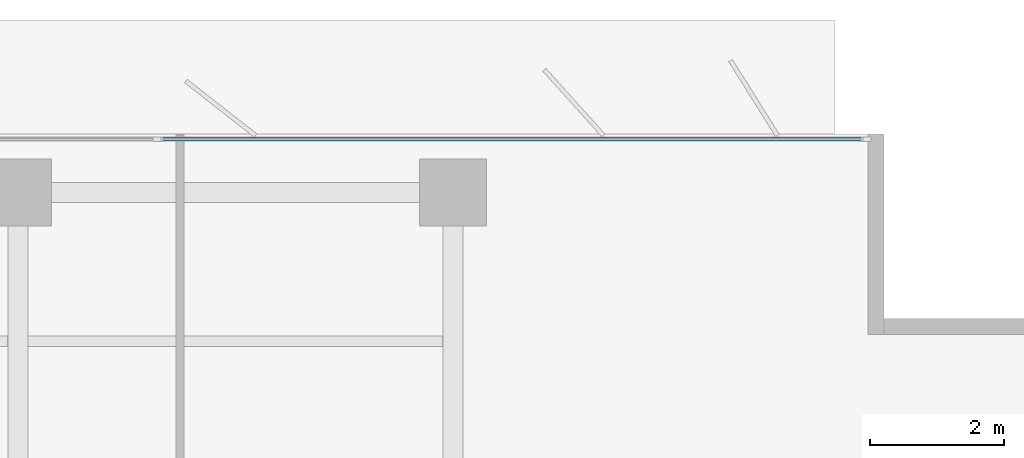
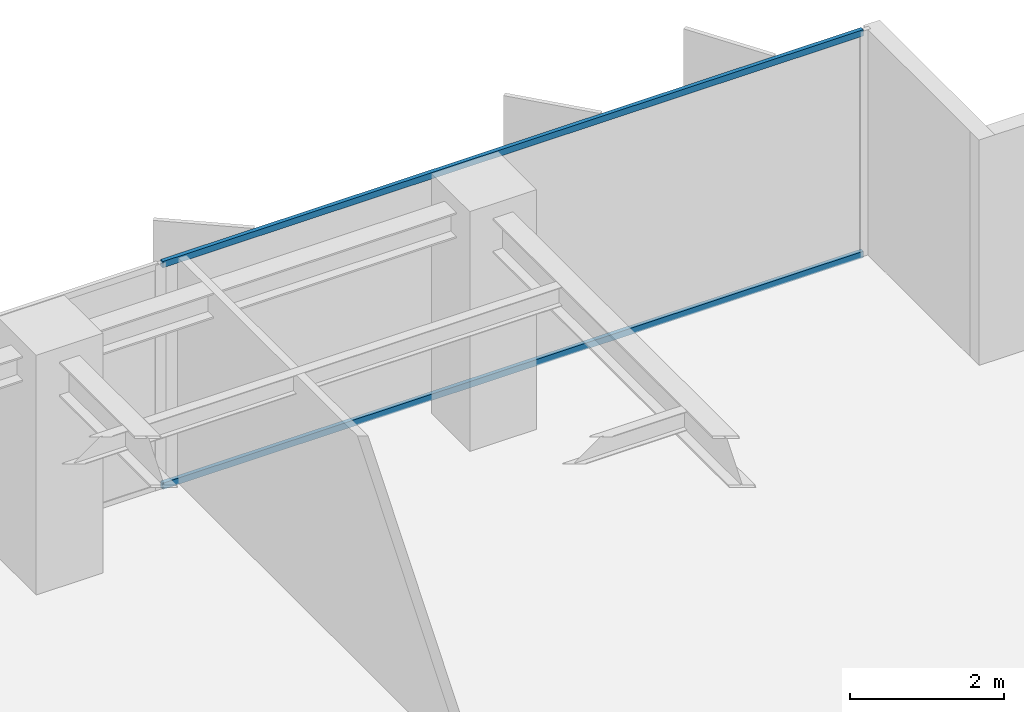
# One storey, part 11 of 22: 2 members, 1 element without a shape of its own.
"""IFC4 building model written with IfcOpenShell, lengths in metres."""

from ifc_helpers import new_model, si_unit, direction, frame, origin, origin_2d, place, context, subcontext, project, spatial, rectangle, extrude, material, layer, layer_set, material_profile, profile_set, type_object, element, aggregate, save


model = new_model("IFC4")

# Units and contexts
model_context = context("Model", 3, precision=1e-05, world=origin(), true_north=direction((0.0, 1.0)))
body_context = subcontext(model_context, "Body", "Model", "MODEL_VIEW")
ifc_project = project(units=[si_unit("LENGTHUNIT", "METRE"), si_unit("AREAUNIT", "SQUARE_METRE"), si_unit("VOLUMEUNIT", "CUBIC_METRE"), si_unit("PLANEANGLEUNIT", "RADIAN"), si_unit("MASSUNIT", "GRAM", prefix="KILO")], contexts=[model_context])

# Site, building, storey
site_placement = place(None, origin())
site = spatial("IfcSite", under=ifc_project, at=site_placement, CompositionType="ELEMENT")
building_placement = place(site_placement, origin())
building = spatial("IfcBuilding", under=site, at=building_placement, Name="Putna Gate Headquarters", CompositionType="ELEMENT")
storey_placement = place(building_placement, frame((0.0, 0.0, 144.199951171875)))
storey = spatial("IfcBuildingStorey", under=building, at=storey_placement, Name="L35", CompositionType="ELEMENT", Elevation=144.199951171875)

# Curtain wall, members
ifc_material_1 = material(Name="Anodised bronze aluminium curtain wall", Category="aluminium")
ifc_layer = layer(ifc_material_1, 0.159912109375)
ifc_layer_set = layer_set([ifc_layer], Name="Anodised bronze aluminium curtain wall")
curtain_wall_type = type_object("IfcCurtainWallType", Name="CW-SYS-Z3", PredefinedType="USERDEFINED", material=ifc_layer_set)
curtain_wall_placement = place(storey_placement, origin())
curtain_wall = element("IfcCurtainWall", 1, at=curtain_wall_placement, inside=storey, type_object=curtain_wall_type, Name="L35 North East Curtain Wall", ObjectType="STICK CURTAIN WALL", PredefinedType="USERDEFINED")
ifc_material_2 = material(Name="Anodised bronze aluminium EN AW-6060", Category="aluminium")
ifc_material_profile = material_profile(ifc_material_2, rectangle(XDim=0.06005859375, YDim=0.10009765625, at=origin_2d()), Name="Anodised bronze aluminium EN AW-6060")
ifc_profile_set = profile_set([ifc_material_profile], Name="Anodised bronze aluminium EN AW-6060")
member_type = type_object("IfcMemberType", Name="TRAN-CWT-3", PredefinedType="USERDEFINED", material=ifc_profile_set)
member_1_placement = place(storey_placement, frame((60.632568359375, 48.52001953125, 0.030029296875), z_axis=(1.0, 0.0, 0.0), x_axis=(0.0, 1.0, 0.0)))
member_1 = element("IfcMember", 2, at=member_1_placement, type_object=member_type, Name="CWS-3 transom 2.1", ObjectType="TRANSOM", PredefinedType="USERDEFINED", context=body_context, shape_type="SweptSolid", body=[
    extrude(rectangle(XDim=0.06005859375, YDim=0.10009765625, at=origin_2d()), origin(), (0.0, 0.0, 1.0), 10.50244140625),
])
member_2_placement = place(storey_placement, frame((60.632568359375, 48.52001953125, 3.5419921875), z_axis=(1.0, 0.0, 0.0), x_axis=(0.0, 1.0, 0.0)))
member_2 = element("IfcMember", 3, at=member_2_placement, type_object=member_type, Name="CWS-3 transom 2.2", ObjectType="TRANSOM", PredefinedType="USERDEFINED", context=body_context, shape_type="SweptSolid", body=[
    extrude(rectangle(XDim=0.06005859375, YDim=0.10009765625, at=origin_2d()), origin(), (0.0, 0.0, 1.0), 10.50244140625),
])
aggregate(curtain_wall, [member_1, member_2])

save(model, "model.ifc")
